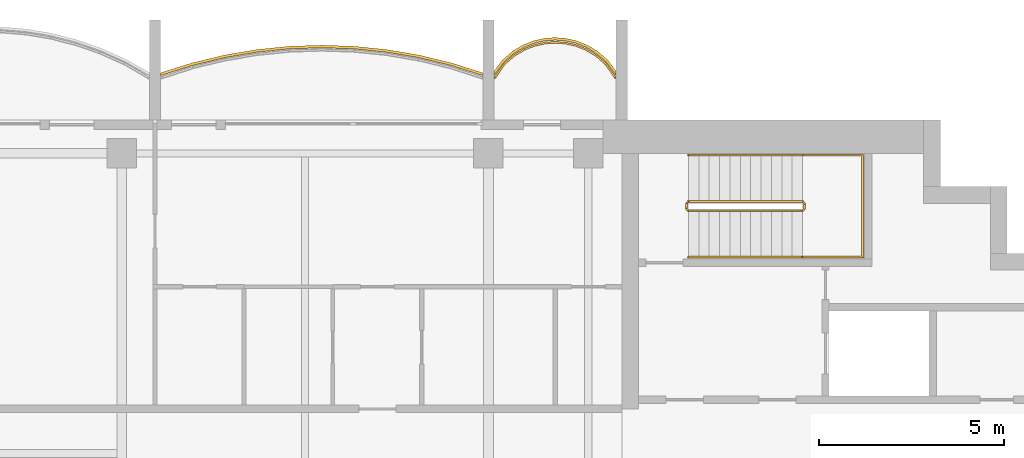
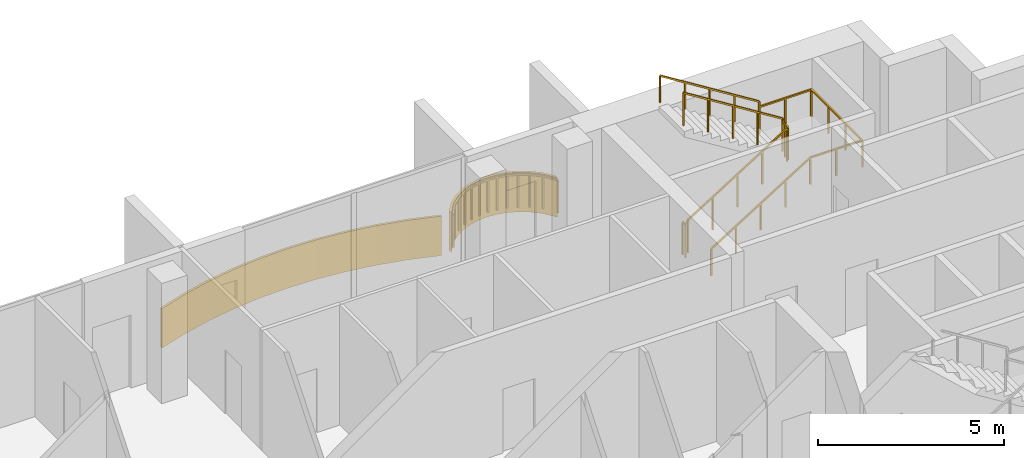
# One storey, part 16 of 16: 3 railings, 2 coverings.
"""IFC4 building model written with IfcOpenShell, lengths in metres."""

from ifc_helpers import new_model, si_unit, direction, frame, origin, origin_2d, place, context, subcontext, project, spatial, polyline, rectangle, outline, extrude, material, layer, layer_set, type_object, element, save


model = new_model("IFC4")

# Units and contexts
model_context = context("Model", 3, precision=1e-05, world=origin(), true_north=direction((0.0, 1.0)))
body_context = subcontext(model_context, "Body", "Model", "MODEL_VIEW")
ifc_project = project(units=[si_unit("LENGTHUNIT", "METRE"), si_unit("AREAUNIT", "SQUARE_METRE"), si_unit("VOLUMEUNIT", "CUBIC_METRE"), si_unit("PLANEANGLEUNIT", "RADIAN"), si_unit("MASSUNIT", "GRAM", prefix="KILO")], contexts=[model_context])

# Site, building, storey
site_placement = place(None, origin())
site = spatial("IfcSite", under=ifc_project, at=site_placement, CompositionType="ELEMENT")
building_placement = place(site_placement, origin())
building = spatial("IfcBuilding", under=site, at=building_placement, Name="Perihelion Cross Residences", CompositionType="ELEMENT")
storey_placement = place(building_placement, frame((0.0, 0.0, 290.39990234375)))
storey = spatial("IfcBuildingStorey", under=building, at=storey_placement, Name="L74", CompositionType="ELEMENT", Elevation=290.39990234375)

# Coverings
ifc_material_1 = material(Name="Bronze anodised aluminium", Category="aluminium")
ifc_layer = layer(ifc_material_1, 0.070068359375)
ifc_layer_set = layer_set([ifc_layer], Name="Balcony fascia 1300")
covering_type = type_object("IfcCoveringType", Name="Balcony fascia 1300", PredefinedType="CLADDING", material=ifc_layer_set)
covering_1_placement = place(storey_placement, frame((0.0, 0.0, -0.199951171875)))
element("IfcCovering", 1, at=covering_1_placement, inside=storey, type_object=covering_type, Name="Fascia BF1 L74 east side north bay 1", PredefinedType="CLADDING", context=body_context, shape_type="SweptSolid", body=[
    extrude(outline(polyline([(21.226318359375, 10.616455078125), (20.94091796875, 10.86328125), (20.655517578125, 11.031494140625), (20.370361328125, 11.142578125), (20.085205078125, 11.206298828125), (19.800048828125, 11.22705078125), (19.514892578125, 11.206298828125), (19.229736328125, 11.142578125), (18.9443359375, 11.031494140625), (18.6591796875, 10.86328125), (18.373779296875, 10.616455078125), (18.14990234375, 10.31689453125), (18.14990234375, 10.199951171875), (18.425048828125, 10.568603515625), (18.699951171875, 10.806396484375), (18.97509765625, 10.96875), (19.25, 11.07568359375), (19.52490234375, 11.136962890625), (19.800048828125, 11.156982421875), (20.074951171875, 11.136962890625), (20.35009765625, 11.07568359375), (20.625, 10.96875), (20.89990234375, 10.806396484375), (21.175048828125, 10.568603515625), (21.449951171875, 10.199951171875), (21.449951171875, 10.31689453125), (21.226318359375, 10.616455078125)])), origin(), (0.0, 0.0, 1.0), 1.300048828125),
])
covering_2_placement = place(storey_placement, frame((0.0, 0.0, -0.199951171875)))
element("IfcCovering", 2, at=covering_2_placement, inside=storey, type_object=covering_type, Name="Fascia BF1 L74 east side north bay 2", PredefinedType="CLADDING", context=body_context, shape_type="SweptSolid", body=[
    extrude(outline(polyline([(16.998779296875, 10.542724609375), (16.1240234375, 10.753662109375), (15.249267578125, 10.90234375), (14.374755859375, 10.99072265625), (13.5, 11.02001953125), (12.625244140625, 10.99072265625), (11.750732421875, 10.90234375), (10.8759765625, 10.753662109375), (10.001220703125, 10.542724609375), (9.14990234375, 10.2734375), (9.14990234375, 10.199951171875), (10.02001953125, 10.47509765625), (10.889892578125, 10.68505859375), (11.760009765625, 10.8330078125), (12.6298828125, 10.9208984375), (13.5, 10.949951171875), (14.3701171875, 10.9208984375), (15.239990234375, 10.8330078125), (16.110107421875, 10.68505859375), (16.97998046875, 10.47509765625), (17.85009765625, 10.199951171875), (17.85009765625, 10.2734375), (16.998779296875, 10.542724609375)])), origin(), (0.0, 0.0, 1.0), 1.300048828125),
])

# Railings
ifc_material_2 = material(Name="Bronze anodised aluminium", Category="aluminium")
railing_type_1 = type_object("IfcRailingType", Name="Balcony guard 1100", PredefinedType="GUARDRAIL", material=ifc_material_2)
railing_1_placement = place(storey_placement, frame((21.425048828125, 10.139892578125, 0.0)))
element("IfcRailing", 3, at=railing_1_placement, inside=storey, type_object=railing_type_1, Name="Guard GU1 L74 east side north bay 1 balcony", PredefinedType="GUARDRAIL", context=body_context, shape_type="SweptSolid", body=[
    extrude(rectangle(XDim=0.048095703125, YDim=0.048095703125, at=origin_2d()), frame((0.0, 0.0, 1.076171875), z_axis=(-0.561260132269, 0.827639452857, 0.0), x_axis=(-0.827639452857, -0.561260132269, 0.0)), (0.0, 0.0, 1.0), 0.4453125),
    extrude(rectangle(XDim=0.048095703125, YDim=0.048095703125, at=origin_2d()), frame((-0.25, 0.36865234375, 1.076171875), z_axis=(-0.756596535164, 0.653882009982, 0.0), x_axis=(-0.653882009982, -0.756596535164, 0.0)), (0.0, 0.0, 1.0), 0.36376953125),
    extrude(rectangle(XDim=0.048095703125, YDim=0.048095703125, at=origin_2d()), frame((-0.525146484375, 0.6064453125, 1.076171875), z_axis=(-0.861048292884, 0.508523192511, 0.0), x_axis=(-0.508523192511, -0.861048292884, 0.0)), (0.0, 0.0, 1.0), 0.3193359375),
    extrude(rectangle(XDim=0.048095703125, YDim=0.048095703125, at=origin_2d()), frame((-0.800048828125, 0.768798828125, 1.076171875), z_axis=(-0.931973602183, 0.362526143656, 0.0), x_axis=(-0.362526143656, -0.931973602183, 0.0)), (0.0, 0.0, 1.0), 0.294921875),
    extrude(rectangle(XDim=0.048095703125, YDim=0.048095703125, at=origin_2d()), frame((-1.074951171875, 0.875732421875, 1.076171875), z_axis=(-0.976085059389, 0.21738895289, 0.0), x_axis=(-0.21738895289, -0.976085059389, 0.0)), (0.0, 0.0, 1.0), 0.281982421875),
    extrude(rectangle(XDim=0.048095703125, YDim=0.048095703125, at=origin_2d()), frame((-1.35009765625, 0.93701171875, 1.076171875), z_axis=(-0.997358821833, 0.072631814734, 0.0), x_axis=(-0.072631814734, -0.997358821833, 0.0)), (0.0, 0.0, 1.0), 0.275634765625),
    extrude(rectangle(XDim=0.048095703125, YDim=0.048095703125, at=origin_2d()), frame((-1.625, 0.95703125, 1.076171875), z_axis=(-0.997363488337, -0.072567707226, 0.0), x_axis=(0.072567707226, -0.997363488337, 0.0)), (0.0, 0.0, 1.0), 0.27587890625),
    extrude(rectangle(XDim=0.048095703125, YDim=0.048095703125, at=origin_2d()), frame((-1.900146484375, 0.93701171875, 1.076171875), z_axis=(-0.976044077717, -0.217572880557, 0.0), x_axis=(0.217572880557, -0.976044077717, 0.0)), (0.0, 0.0, 1.0), 0.28173828125),
    extrude(rectangle(XDim=0.048095703125, YDim=0.048095703125, at=origin_2d()), frame((-2.175048828125, 0.875732421875, 1.076171875), z_axis=(-0.931973602183, -0.362526143656, 0.0), x_axis=(0.362526143656, -0.931973602183, 0.0)), (0.0, 0.0, 1.0), 0.294921875),
    extrude(rectangle(XDim=0.048095703125, YDim=0.048095703125, at=origin_2d()), frame((-2.449951171875, 0.768798828125, 1.076171875), z_axis=(-0.861245845072, -0.508188542123, 0.0), x_axis=(0.508188542123, -0.861245845072, 0.0)), (0.0, 0.0, 1.0), 0.319580078125),
    extrude(rectangle(XDim=0.048095703125, YDim=0.048095703125, at=origin_2d()), frame((-2.72509765625, 0.6064453125, 1.076171875), z_axis=(-0.756309278473, -0.654214242658, 0.0), x_axis=(0.654214242658, -0.756309278473, 0.0)), (0.0, 0.0, 1.0), 0.363525390625),
    extrude(rectangle(XDim=0.048095703125, YDim=0.048095703125, at=origin_2d()), frame((-3.0, 0.36865234375, 1.076171875), z_axis=(-0.561260132269, -0.827639452857, 0.0), x_axis=(0.827639452857, -0.561260132269, 0.0)), (0.0, 0.0, 1.0), 0.4453125),
    extrude(rectangle(XDim=0.0419921875, YDim=0.0419921875, at=origin_2d()), origin(), (0.0, 0.0, 1.0), 1.052001953125),
    extrude(rectangle(XDim=0.0419921875, YDim=0.0419921875, at=origin_2d()), frame((-0.25, 0.36865234375, 0.0)), (0.0, 0.0, 1.0), 1.052001953125),
    extrude(rectangle(XDim=0.0419921875, YDim=0.0419921875, at=origin_2d()), frame((-0.525146484375, 0.6064453125, 0.0)), (0.0, 0.0, 1.0), 1.052001953125),
    extrude(rectangle(XDim=0.0419921875, YDim=0.0419921875, at=origin_2d()), frame((-0.800048828125, 0.768798828125, 0.0)), (0.0, 0.0, 1.0), 1.052001953125),
    extrude(rectangle(XDim=0.0419921875, YDim=0.0419921875, at=origin_2d()), frame((-1.074951171875, 0.875732421875, 0.0)), (0.0, 0.0, 1.0), 1.052001953125),
    extrude(rectangle(XDim=0.0419921875, YDim=0.0419921875, at=origin_2d()), frame((-1.35009765625, 0.93701171875, 0.0)), (0.0, 0.0, 1.0), 1.052001953125),
    extrude(rectangle(XDim=0.0419921875, YDim=0.0419921875, at=origin_2d()), frame((-1.625, 0.95703125, 0.0)), (0.0, 0.0, 1.0), 1.052001953125),
    extrude(rectangle(XDim=0.0419921875, YDim=0.0419921875, at=origin_2d()), frame((-1.900146484375, 0.93701171875, 0.0)), (0.0, 0.0, 1.0), 1.052001953125),
    extrude(rectangle(XDim=0.0419921875, YDim=0.0419921875, at=origin_2d()), frame((-2.175048828125, 0.875732421875, 0.0)), (0.0, 0.0, 1.0), 1.052001953125),
    extrude(rectangle(XDim=0.0419921875, YDim=0.0419921875, at=origin_2d()), frame((-2.449951171875, 0.768798828125, 0.0)), (0.0, 0.0, 1.0), 1.052001953125),
    extrude(rectangle(XDim=0.0419921875, YDim=0.0419921875, at=origin_2d()), frame((-2.72509765625, 0.6064453125, 0.0)), (0.0, 0.0, 1.0), 1.052001953125),
    extrude(rectangle(XDim=0.0419921875, YDim=0.0419921875, at=origin_2d()), frame((-3.0, 0.36865234375, 0.0)), (0.0, 0.0, 1.0), 1.052001953125),
    extrude(rectangle(XDim=0.0419921875, YDim=0.0419921875, at=origin_2d()), frame((-3.25, 0.0, 0.0)), (0.0, 0.0, 1.0), 1.052001953125),
])
ifc_material_3 = material(Name="Stainless steel", Category="steel")
railing_type_2 = type_object("IfcRailingType", Name="Stair guard 1100", PredefinedType="GUARDRAIL", material=ifc_material_3)
railing_2_placement = place(storey_placement, frame((23.35009765625, 6.75, 0.0)))
element("IfcRailing", 4, at=railing_2_placement, inside=storey, type_object=railing_type_2, Name="L74 ST-E1 stair guard 1", PredefinedType="GUARDRAIL", context=body_context, shape_type="SweptSolid", body=[
    extrude(rectangle(XDim=0.048095703125, YDim=0.048095703125, at=origin_2d()), frame((0.0, 0.0, 1.076171875), z_axis=(0.0, -1.0, 0.0), x_axis=(1.0, 0.0, 0.0)), (0.0, 0.0, 1.0), 0.14990234375),
    extrude(rectangle(XDim=0.048095703125, YDim=0.048095703125, at=origin_2d()), frame((0.0, -0.14990234375, 1.076171875), z_axis=(0.263862480399, -0.265155923931, 0.927399011991), x_axis=(0.708833529934, 0.705375805398, 0.0)), (0.0, 0.0, 1.0), 0.188720703125),
    extrude(rectangle(XDim=0.048095703125, YDim=0.048095703125, at=origin_2d()), frame((0.0498046875, -0.199951171875, 1.2509765625), z_axis=(0.847998304005, 0.0, 0.529998940003), x_axis=(0.0, 1.0, 0.0)), (0.0, 0.0, 1.0), 3.632080078125),
    extrude(rectangle(XDim=0.048095703125, YDim=0.048095703125, at=origin_2d()), frame((3.1298828125, -0.199951171875, 3.17626953125), z_axis=(0.707106781187, 0.707106781187, 0.0), x_axis=(-0.707106781187, 0.707106781187, 0.0)), (0.0, 0.0, 1.0), 0.07080078125),
    extrude(rectangle(XDim=0.048095703125, YDim=0.048095703125, at=origin_2d()), frame((3.179931640625, -0.14990234375, 3.17626953125), z_axis=(0.0, 1.0, 0.0), x_axis=(-1.0, 0.0, 0.0)), (0.0, 0.0, 1.0), 0.14990234375),
    extrude(rectangle(XDim=0.048095703125, YDim=0.048095703125, at=origin_2d()), frame((3.179931640625, 0.0, 3.17626953125), z_axis=(-0.265065253269, 0.265065253269, 0.927081885822), x_axis=(-0.707106781187, -0.707106781187, 0.0)), (0.0, 0.0, 1.0), 0.188720703125),
    extrude(rectangle(XDim=0.048095703125, YDim=0.048095703125, at=origin_2d()), frame((3.1298828125, 0.050048828125, 3.35107421875), z_axis=(-0.847998304005, 0.0, 0.529998940003), x_axis=(0.0, -1.0, 0.0)), (0.0, 0.0, 1.0), 3.632080078125),
    extrude(rectangle(XDim=0.0419921875, YDim=0.0419921875, at=origin_2d()), origin(), (0.0, 0.0, 1.0), 1.052001953125),
    extrude(rectangle(XDim=0.0419921875, YDim=0.0419921875, at=origin_2d()), frame((0.0, -0.14990234375, 0.0)), (0.0, 0.0, 1.0), 1.052001953125),
    extrude(rectangle(XDim=0.0419921875, YDim=0.0419921875, at=origin_2d()), frame((0.0498046875, -0.199951171875, 0.175048828125)), (0.0, 0.0, 1.0), 1.052001953125),
    extrude(rectangle(XDim=0.0419921875, YDim=0.0419921875, at=origin_2d()), frame((0.81982421875, -0.199951171875, 0.65625)), (0.0, 0.0, 1.0), 1.052001953125),
    extrude(rectangle(XDim=0.0419921875, YDim=0.0419921875, at=origin_2d()), frame((1.58984375, -0.199951171875, 1.1376953125)), (0.0, 0.0, 1.0), 1.052001953125),
    extrude(rectangle(XDim=0.0419921875, YDim=0.0419921875, at=origin_2d()), frame((2.35986328125, -0.199951171875, 1.618896484375)), (0.0, 0.0, 1.0), 1.052001953125),
    extrude(rectangle(XDim=0.0419921875, YDim=0.0419921875, at=origin_2d()), frame((3.1298828125, -0.199951171875, 2.10009765625)), (0.0, 0.0, 1.0), 1.052001953125),
    extrude(rectangle(XDim=0.0419921875, YDim=0.0419921875, at=origin_2d()), frame((3.179931640625, -0.14990234375, 2.10009765625)), (0.0, 0.0, 1.0), 1.052001953125),
    extrude(rectangle(XDim=0.0419921875, YDim=0.0419921875, at=origin_2d()), frame((3.179931640625, 0.0, 2.10009765625)), (0.0, 0.0, 1.0), 1.052001953125),
    extrude(rectangle(XDim=0.0419921875, YDim=0.0419921875, at=origin_2d()), frame((3.1298828125, 0.050048828125, 2.275146484375)), (0.0, 0.0, 1.0), 1.052001953125),
    extrude(rectangle(XDim=0.0419921875, YDim=0.0419921875, at=origin_2d()), frame((2.35986328125, 0.050048828125, 2.75634765625)), (0.0, 0.0, 1.0), 1.052001953125),
    extrude(rectangle(XDim=0.0419921875, YDim=0.0419921875, at=origin_2d()), frame((1.58984375, 0.050048828125, 3.23779296875)), (0.0, 0.0, 1.0), 1.052001953125),
    extrude(rectangle(XDim=0.0419921875, YDim=0.0419921875, at=origin_2d()), frame((0.81982421875, 0.050048828125, 3.718994140625)), (0.0, 0.0, 1.0), 1.052001953125),
    extrude(rectangle(XDim=0.0419921875, YDim=0.0419921875, at=origin_2d()), frame((0.0498046875, 0.050048828125, 4.2001953125)), (0.0, 0.0, 1.0), 1.052001953125),
])
ifc_material_4 = material(Name="Stainless steel", Category="steel")
railing_type_3 = type_object("IfcRailingType", Name="Stair handrail 900", PredefinedType="HANDRAIL", material=ifc_material_4)
railing_3_placement = place(storey_placement, frame((23.39990234375, 5.300048828125, 0.175048828125)))
element("IfcRailing", 5, at=railing_3_placement, inside=storey, type_object=railing_type_3, Name="L74 ST-E1 stair handrail 1", PredefinedType="HANDRAIL", context=body_context, shape_type="SweptSolid", body=[
    extrude(rectangle(XDim=0.048095703125, YDim=0.048095703125, at=origin_2d()), frame((0.0, 0.0, 0.8759765625), z_axis=(0.847998304005, 0.0, 0.529998940003), x_axis=(0.0, 1.0, 0.0)), (0.0, 0.0, 1.0), 3.632080078125),
    extrude(rectangle(XDim=0.048095703125, YDim=0.048095703125, at=origin_2d()), frame((3.080078125, 0.0, 2.80078125), z_axis=(1.0, 0.0, 0.0), x_axis=(0.0, 1.0, 0.0)), (0.0, 0.0, 1.0), 1.6201171875),
    extrude(rectangle(XDim=0.048095703125, YDim=0.048095703125, at=origin_2d()), frame((4.7001953125, 0.0, 2.80078125), z_axis=(0.0, 1.0, 0.0), x_axis=(-1.0, 0.0, 0.0)), (0.0, 0.0, 1.0), 2.75),
    extrude(rectangle(XDim=0.048095703125, YDim=0.048095703125, at=origin_2d()), frame((4.7001953125, 2.75, 2.80078125), z_axis=(-1.0, 0.0, 0.0), x_axis=(0.0, -1.0, 0.0)), (0.0, 0.0, 1.0), 1.6201171875),
    extrude(rectangle(XDim=0.048095703125, YDim=0.048095703125, at=origin_2d()), frame((3.080078125, 2.75, 2.80078125), z_axis=(0.0, 0.0, 1.0), x_axis=(1.0, 0.0, 0.0)), (0.0, 0.0, 1.0), 0.175048828125),
    extrude(rectangle(XDim=0.048095703125, YDim=0.048095703125, at=origin_2d()), frame((3.080078125, 2.75, 2.97607421875), z_axis=(-0.847998304005, 0.0, 0.529998940003), x_axis=(0.0, -1.0, 0.0)), (0.0, 0.0, 1.0), 3.632080078125),
    extrude(rectangle(XDim=0.0419921875, YDim=0.0419921875, at=origin_2d()), origin(), (0.0, 0.0, 1.0), 0.851806640625),
    extrude(rectangle(XDim=0.0419921875, YDim=0.0419921875, at=origin_2d()), frame((0.77001953125, 0.0, 0.481201171875)), (0.0, 0.0, 1.0), 0.851806640625),
    extrude(rectangle(XDim=0.0419921875, YDim=0.0419921875, at=origin_2d()), frame((1.5400390625, 0.0, 0.96240234375)), (0.0, 0.0, 1.0), 0.851806640625),
    extrude(rectangle(XDim=0.0419921875, YDim=0.0419921875, at=origin_2d()), frame((2.31005859375, 0.0, 1.44384765625)), (0.0, 0.0, 1.0), 0.851806640625),
    extrude(rectangle(XDim=0.0419921875, YDim=0.0419921875, at=origin_2d()), frame((3.080078125, 0.0, 1.925048828125)), (0.0, 0.0, 1.0), 0.851806640625),
    extrude(rectangle(XDim=0.0419921875, YDim=0.0419921875, at=origin_2d()), frame((3.89013671875, 0.0, 1.925048828125)), (0.0, 0.0, 1.0), 0.851806640625),
    extrude(rectangle(XDim=0.0419921875, YDim=0.0419921875, at=origin_2d()), frame((4.7001953125, 0.0, 1.925048828125)), (0.0, 0.0, 1.0), 0.851806640625),
    extrude(rectangle(XDim=0.0419921875, YDim=0.0419921875, at=origin_2d()), frame((4.7001953125, 0.916748046875, 1.925048828125)), (0.0, 0.0, 1.0), 0.851806640625),
    extrude(rectangle(XDim=0.0419921875, YDim=0.0419921875, at=origin_2d()), frame((4.7001953125, 1.833251953125, 1.925048828125)), (0.0, 0.0, 1.0), 0.851806640625),
    extrude(rectangle(XDim=0.0419921875, YDim=0.0419921875, at=origin_2d()), frame((4.7001953125, 2.75, 1.925048828125)), (0.0, 0.0, 1.0), 0.851806640625),
    extrude(rectangle(XDim=0.0419921875, YDim=0.0419921875, at=origin_2d()), frame((3.89013671875, 2.75, 1.925048828125)), (0.0, 0.0, 1.0), 0.851806640625),
    extrude(rectangle(XDim=0.0419921875, YDim=0.0419921875, at=origin_2d()), frame((3.080078125, 2.75, 1.925048828125)), (0.0, 0.0, 1.0), 0.851806640625),
    extrude(rectangle(XDim=0.0419921875, YDim=0.0419921875, at=origin_2d()), frame((3.080078125, 2.75, 2.10009765625)), (0.0, 0.0, 1.0), 0.851806640625),
    extrude(rectangle(XDim=0.0419921875, YDim=0.0419921875, at=origin_2d()), frame((2.31005859375, 2.75, 2.581298828125)), (0.0, 0.0, 1.0), 0.851806640625),
    extrude(rectangle(XDim=0.0419921875, YDim=0.0419921875, at=origin_2d()), frame((1.5400390625, 2.75, 3.0625)), (0.0, 0.0, 1.0), 0.851806640625),
    extrude(rectangle(XDim=0.0419921875, YDim=0.0419921875, at=origin_2d()), frame((0.77001953125, 2.75, 3.5439453125)), (0.0, 0.0, 1.0), 0.851806640625),
    extrude(rectangle(XDim=0.0419921875, YDim=0.0419921875, at=origin_2d()), frame((0.0, 2.75, 4.025146484375)), (0.0, 0.0, 1.0), 0.851806640625),
])

save(model, "model.ifc")
